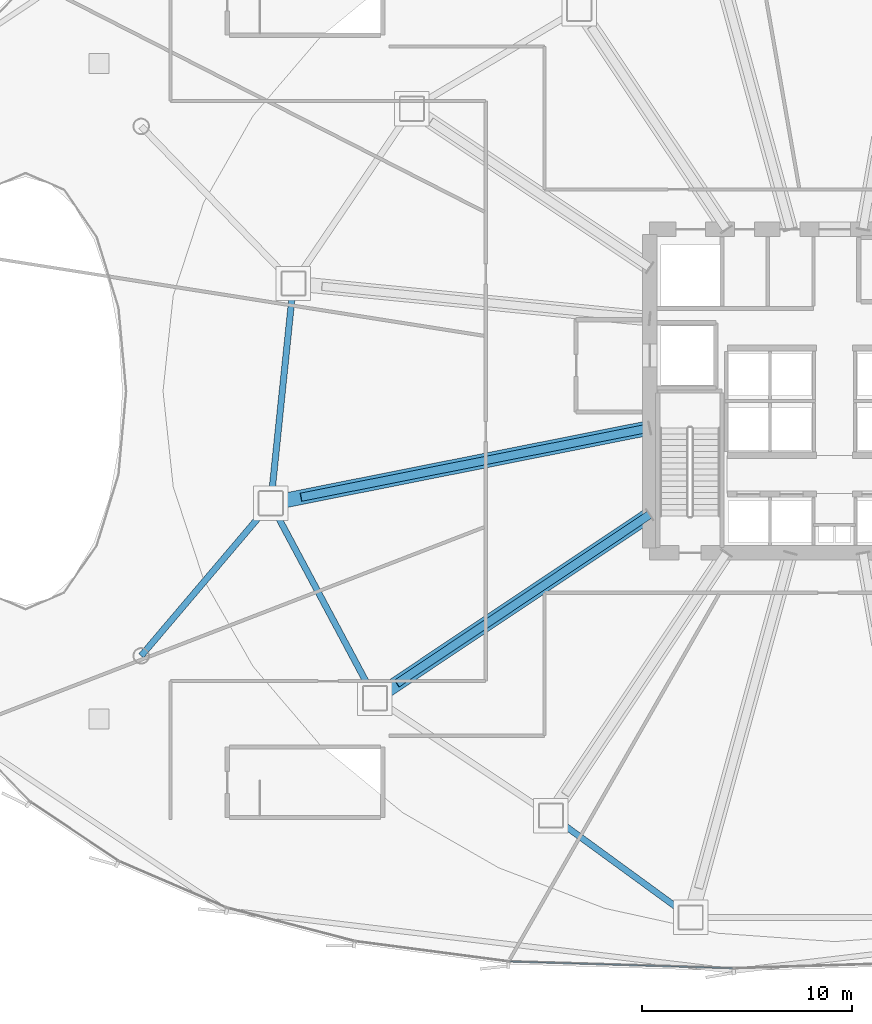
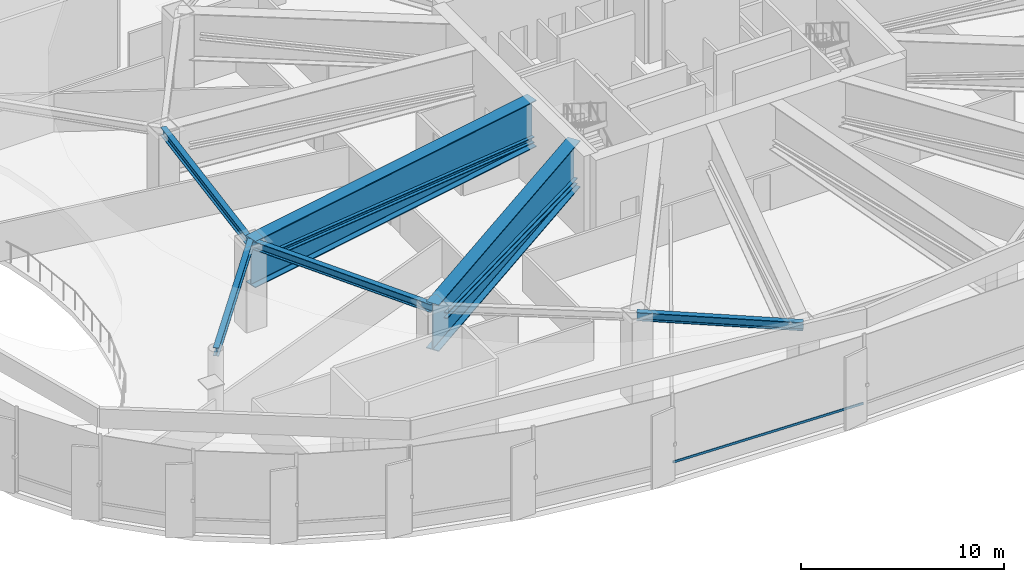
# One storey, part 7 of 36: 6 beams, 3 members, 1 element without a shape of its own.
"""IFC4 building model written with IfcOpenShell, lengths in metres."""

from ifc_helpers import new_model, si_unit, direction, frame, origin, origin_2d, place, context, subcontext, project, spatial, hollow_rectangle, i_section, extrude, source, transform, mapped, material, layer, layer_set, material_profile, profile_set, type_object, element, aggregate, save


model = new_model("IFC4")

# Units and contexts
model_context = context("Model", 3, precision=1e-05, world=origin(), true_north=direction((0.0, 1.0)))
body_context = subcontext(model_context, "Body", "Model", "MODEL_VIEW")
ifc_project = project(units=[si_unit("LENGTHUNIT", "METRE"), si_unit("AREAUNIT", "SQUARE_METRE"), si_unit("VOLUMEUNIT", "CUBIC_METRE"), si_unit("PLANEANGLEUNIT", "RADIAN"), si_unit("MASSUNIT", "GRAM", prefix="KILO"), si_unit("THERMODYNAMICTEMPERATUREUNIT", "KELVIN")], contexts=[model_context])

# Site, building, storey
site_placement = place(None, origin())
site = spatial("IfcSite", under=ifc_project, at=site_placement, CompositionType="ELEMENT")
building_placement = place(site_placement, origin())
building = spatial("IfcBuilding", under=site, at=building_placement, Name="Kethvar Cultural Tower", CompositionType="ELEMENT")
storey_placement = place(building_placement, frame((0.0, 0.0, 24.0)))
storey = spatial("IfcBuildingStorey", under=building, at=storey_placement, Name="L05", CompositionType="ELEMENT", Elevation=24.0)

# Beams
ifc_material_1 = material(Name="Steel S355J2", Category="steel")
ifc_material_profile_1 = material_profile(ifc_material_1, i_section(OverallWidth=0.300048828125, OverallDepth=0.5, WebThickness=0.014404296875, FlangeThickness=0.028076171875, FilletRadius=0.027099609375, at=origin_2d()), Name="Steel S355J2 — HEB500")
ifc_profile_set_1 = profile_set([ifc_material_profile_1], Name="Steel S355J2 — HEB500")
beam_type_1 = type_object("IfcBeamType", Name="BM-SP500", PredefinedType="SPANDREL", material=ifc_profile_set_1)
shared_shape_1 = source(origin(), body_context, "Body", "SweptSolid", [
    extrude(i_section(OverallWidth=0.300048828125, OverallDepth=0.5, WebThickness=0.014404296875, FlangeThickness=0.028076171875, FilletRadius=0.027099609375, at=origin_2d()), origin(), (0.0, 0.0, 1.0), 10.515869140625),
])
beam_1_placement = place(storey_placement, frame((21.047119140625, 32.922607421875, 4.865966796875), z_axis=(-0.102824694973, -0.994699493367, 0.0), x_axis=(0.994699493367, -0.102824694973, 0.0)))
element("IfcBeam", 1, at=beam_1_placement, inside=storey, type_object=beam_type_1, Name="L05 Podium Ring Beam 08", PredefinedType="SPANDREL", context=body_context, shape_type="MappedRepresentation", body=[
    mapped(shared_shape_1, transform((0.0, 0.0, 0.0), scale=1.0)),
])
shared_shape_2 = source(origin(), body_context, "Body", "SweptSolid", [
    extrude(i_section(OverallWidth=0.300048828125, OverallDepth=0.5, WebThickness=0.014404296875, FlangeThickness=0.028076171875, FilletRadius=0.027099609375, at=origin_2d()), origin(), (0.0, 0.0, 1.0), 10.52099609375),
])
beam_2_placement = place(storey_placement, frame((19.9658203125, 22.46240234375, 4.865966796875), z_axis=(0.471339616984, -0.881951793162, 0.0), x_axis=(0.881951793162, 0.471339616984, 0.0)))
element("IfcBeam", 2, at=beam_2_placement, inside=storey, type_object=beam_type_1, Name="L05 Podium Ring Beam 09", PredefinedType="SPANDREL", context=body_context, shape_type="MappedRepresentation", body=[
    mapped(shared_shape_2, transform((0.0, 0.0, 0.0), scale=1.0)),
])
shared_shape_3 = source(origin(), body_context, "Body", "SweptSolid", [
    extrude(i_section(OverallWidth=0.300048828125, OverallDepth=0.5, WebThickness=0.014404296875, FlangeThickness=0.028076171875, FilletRadius=0.027099609375, at=origin_2d()), origin(), (0.0, 0.0, 1.0), 8.228515625),
])
beam_3_placement = place(storey_placement, frame((33.302001953125, 7.598876953125, 4.865966796875), z_axis=(0.807925716462, -0.589284342808, 0.0), x_axis=(0.589284342808, 0.807925716462, 0.0)))
element("IfcBeam", 3, at=beam_3_placement, inside=storey, type_object=beam_type_1, Name="L05 Podium Ring Beam 11", PredefinedType="SPANDREL", context=body_context, shape_type="MappedRepresentation", body=[
    mapped(shared_shape_3, transform((0.0, 0.0, 0.0), scale=1.0)),
])
shared_shape_4 = source(origin(), body_context, "Body", "SweptSolid", [
    extrude(i_section(OverallWidth=0.300048828125, OverallDepth=0.5, WebThickness=0.014404296875, FlangeThickness=0.028076171875, FilletRadius=0.027099609375, at=origin_2d()), origin(), (0.0, 0.0, 1.0), 9.52685546875),
])
beam_4_placement = place(storey_placement, frame((13.800048828125, 15.199951171875, 4.865966796875), z_axis=(0.647202724352, 0.762317934717, 0.0), x_axis=(-0.762317934717, 0.647202724352, 0.0)))
element("IfcBeam", 4, at=beam_4_placement, inside=storey, type_object=beam_type_1, Name="L05 West Atrium Wing Beam 01", PredefinedType="SPANDREL", context=body_context, shape_type="MappedRepresentation", body=[
    mapped(shared_shape_4, transform((0.0, 0.0, 0.0), scale=1.0)),
])
ifc_material_2 = material(Name="Steel S460M", Category="steel")
ifc_material_profile_2 = material_profile(ifc_material_2, i_section(OverallWidth=0.699951171875, OverallDepth=2.800048828125, WebThickness=0.031982421875, FlangeThickness=0.050048828125, FilletRadius=0.02392578125, at=origin_2d()), Name="Steel S460M — PG2800x700x50x32")
ifc_profile_set_2 = profile_set([ifc_material_profile_2], Name="Steel S460M — PG2800x700x50x32")
beam_type_2 = type_object("IfcBeamType", Name="BM-TR2800", PredefinedType="BEAM", material=ifc_profile_set_2)
shared_shape_5 = source(origin(), body_context, "Body", "SweptSolid", [
    extrude(i_section(OverallWidth=0.699951171875, OverallDepth=2.800048828125, WebThickness=0.031982421875, FlangeThickness=0.050048828125, FilletRadius=0.02392578125, at=origin_2d()), origin(), (0.0, 0.0, 1.0), 18.387451171875),
])
beam_5_placement = place(storey_placement, frame((38.0, 26.049560546875, 3.716064453125), z_axis=(-0.980785937774, -0.195087017162, 0.0), x_axis=(0.195087017162, -0.980785937774, 0.0)))
element("IfcBeam", 5, at=beam_5_placement, inside=storey, type_object=beam_type_2, Name="L05 Composite Transfer Girder TG-09", PredefinedType="BEAM", context=body_context, shape_type="MappedRepresentation", body=[
    mapped(shared_shape_5, transform((0.0, 0.0, 0.0), scale=1.0)),
])

# Member
ifc_material_profile_3 = material_profile(ifc_material_2, i_section(OverallWidth=0.39306640625, OverallDepth=0.345947265625, WebThickness=0.0244140625, FlangeThickness=0.03759765625, FilletRadius=0.014892578125, at=origin_2d()), Name="Steel S460M — HD400x509")
ifc_profile_set_3 = profile_set([ifc_material_profile_3], Name="Steel S460M — HD400x509")
member_type_1 = type_object("IfcMemberType", Name="MB-TR-DIAG", PredefinedType="BRACE", material=ifc_profile_set_3)
shared_shape_6 = source(origin(), body_context, "Body", "SweptSolid", [
    extrude(i_section(OverallWidth=0.39306640625, OverallDepth=0.345947265625, WebThickness=0.0244140625, FlangeThickness=0.03759765625, FilletRadius=0.014892578125, at=origin_2d()), origin(), (0.0, 0.0, 1.0), 16.945068359375),
])
member_1_placement = place(storey_placement, frame((38.0, 26.049560546875, 2.64990234375), z_axis=(-0.979143688252, -0.194751029799, 0.057876369513), x_axis=(0.195078027776, -0.9807877258, 0.0)))
element("IfcMember", 6, at=member_1_placement, inside=storey, type_object=member_type_1, Name="L05 Transfer Truss Diagonal TD-09", PredefinedType="BRACE", context=body_context, shape_type="MappedRepresentation", body=[
    mapped(shared_shape_6, transform((0.0, 0.0, 0.0), scale=1.0)),
])

# Beam
shared_shape_7 = source(origin(), body_context, "Body", "SweptSolid", [
    extrude(i_section(OverallWidth=0.699951171875, OverallDepth=2.800048828125, WebThickness=0.031982421875, FlangeThickness=0.050048828125, FilletRadius=0.02392578125, at=origin_2d()), origin(), (0.0, 0.0, 1.0), 15.725341796875),
])
beam_6_placement = place(storey_placement, frame((38.0, 21.919921875, 3.716064453125), z_axis=(-0.831469433959, -0.555570499929, 0.0), x_axis=(0.555570499929, -0.831469433959, 0.0)))
element("IfcBeam", 7, at=beam_6_placement, inside=storey, type_object=beam_type_2, Name="L05 Composite Transfer Girder TG-10", PredefinedType="BEAM", context=body_context, shape_type="MappedRepresentation", body=[
    mapped(shared_shape_7, transform((0.0, 0.0, 0.0), scale=1.0)),
])

# Member
shared_shape_8 = source(origin(), body_context, "Body", "SweptSolid", [
    extrude(i_section(OverallWidth=0.39306640625, OverallDepth=0.345947265625, WebThickness=0.0244140625, FlangeThickness=0.03759765625, FilletRadius=0.014892578125, at=origin_2d()), origin(), (0.0, 0.0, 1.0), 14.500732421875),
])
member_2_placement = place(storey_placement, frame((38.0, 21.919921875, 2.64990234375), z_axis=(-0.829569677401, -0.554292355078, 0.067632354971), x_axis=(0.555564424862, -0.83147349316, 0.0)))
element("IfcMember", 8, at=member_2_placement, inside=storey, type_object=member_type_1, Name="L05 Transfer Truss Diagonal TD-10", PredefinedType="BRACE", context=body_context, shape_type="MappedRepresentation", body=[
    mapped(shared_shape_8, transform((0.0, 0.0, 0.0), scale=1.0)),
])

# Curtain wall, member
ifc_material_3 = material(Name="Aluminium 6063-T6", Category="aluminium")
ifc_layer = layer(ifc_material_3, 0.179931640625, Name="Aluminium 6063-T6", Category="aluminium")
ifc_layer_set = layer_set([ifc_layer], Name="Aluminium 6063-T6 (180 mm)")
curtain_wall_type = type_object("IfcCurtainWallType", Name="CW-SYS-01-POD", PredefinedType="NOTDEFINED", material=ifc_layer_set)
curtain_wall_placement = place(storey_placement, origin())
curtain_wall = element("IfcCurtainWall", 9, at=curtain_wall_placement, inside=storey, type_object=curtain_wall_type, Name="L05 Curtain Wall Run 05", PredefinedType="NOTDEFINED")
ifc_material_profile_4 = material_profile(ifc_material_3, hollow_rectangle(XDim=0.06005859375, YDim=0.139892578125, WallThickness=0.0048828125, at=origin_2d()), Name="Aluminium 6063-T6 — RHS140x60x5")
ifc_profile_set_4 = profile_set([ifc_material_profile_4], Name="Aluminium 6063-T6 — RHS140x60x5")
member_type_2 = type_object("IfcMemberType", Name="CW-SYS-01-POD-TRN", PredefinedType="USERDEFINED", material=ifc_profile_set_4)
shared_shape_9 = source(origin(), body_context, "Body", "SweptSolid", [
    extrude(hollow_rectangle(XDim=0.06005859375, YDim=0.139892578125, WallThickness=0.0048828125, at=origin_2d()), origin(), (0.0, 0.0, 1.0), 10.61279296875),
])
member_3_placement = place(storey_placement, frame((31.342041015625, 0.6513671875, 0.949951171875), z_axis=(0.999545810513, -0.030135903608, 0.0), x_axis=(0.030135903608, 0.999545810513, 0.0)))
member_3 = element("IfcMember", 10, at=member_3_placement, type_object=member_type_2, Name="CW-L05-R05 Transom 3", ObjectType="TRANSOM", PredefinedType="USERDEFINED", context=body_context, shape_type="MappedRepresentation", body=[
    mapped(shared_shape_9, transform((0.0, 0.0, 0.0), scale=1.0)),
])
aggregate(curtain_wall, [member_3])

save(model, "model.ifc")
